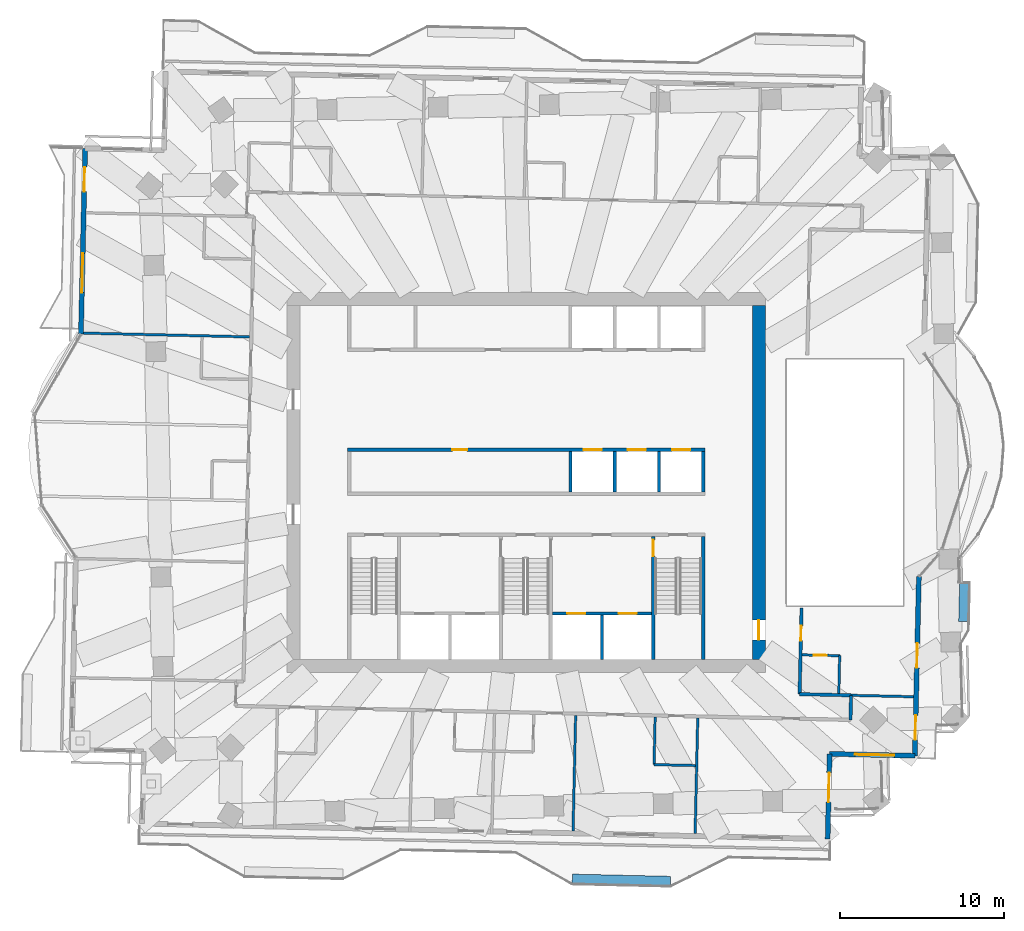
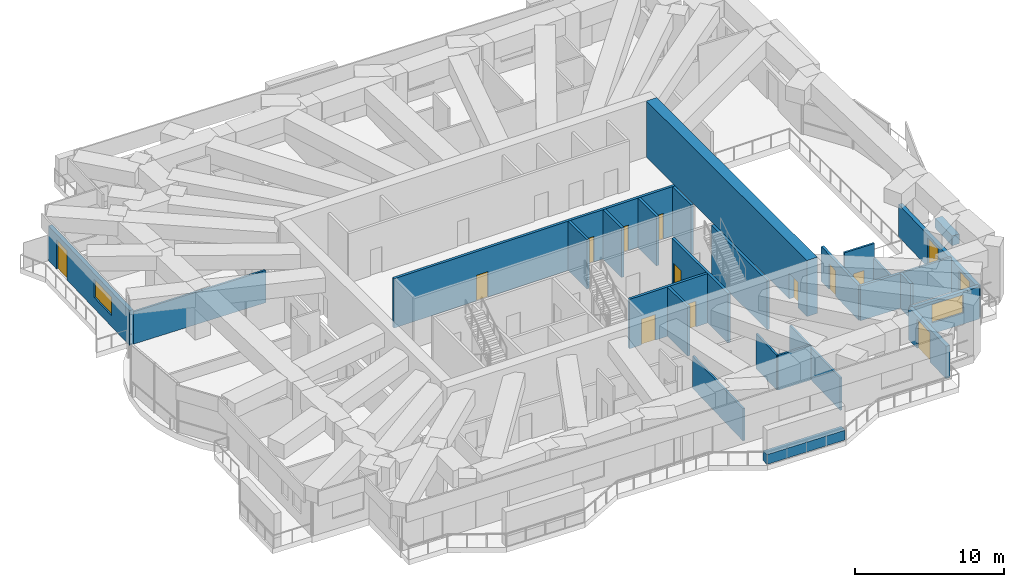
# One storey, part 11 of 19: 27 walls, 14 doors, 2 windows, 16 openings.
"""IFC4 building model written with IfcOpenShell, lengths in metres."""

from ifc_helpers import new_model, si_unit, direction, frame, frame_2d, origin, place, context, subcontext, project, spatial, rectangle, extrude, material, layer, layer_set, type_object, element, fill, save


model = new_model("IFC4")

# Units and contexts
model_context = context("Model", 3, precision=1e-05, world=origin(), true_north=direction((0.0, 1.0)))
body_context = subcontext(model_context, "Body", "Model", "MODEL_VIEW")
ifc_project = project(units=[si_unit("LENGTHUNIT", "METRE"), si_unit("AREAUNIT", "SQUARE_METRE"), si_unit("VOLUMEUNIT", "CUBIC_METRE"), si_unit("PLANEANGLEUNIT", "RADIAN"), si_unit("MASSUNIT", "GRAM", prefix="KILO")], contexts=[model_context])

# Site, building, storey
site_placement = place(None, origin())
site = spatial("IfcSite", under=ifc_project, at=site_placement, CompositionType="ELEMENT")
building_placement = place(site_placement, origin())
building = spatial("IfcBuilding", under=site, at=building_placement, Name="Mangrove Gate Tower", CompositionType="ELEMENT")
storey_placement = place(building_placement, frame((0.0, 0.0, 193.300048828125)))
storey = spatial("IfcBuildingStorey", under=building, at=storey_placement, Name="L49", CompositionType="ELEMENT", Elevation=193.300048828125)

# Wall, openings, doors
ifc_material_1 = material(Name="Concrete C60/75", Category="concrete")
ifc_layer_1 = layer(ifc_material_1, 0.199951171875)
ifc_layer_set_1 = layer_set([ifc_layer_1], Name="Core shaft wall 200 C60/75")
wall_type_1 = type_object("IfcWallType", Name="Core shaft wall 200 C60/75", PredefinedType="SHEAR", material=ifc_layer_set_1)
wall_1_placement = place(storey_placement, frame((-10.89990234375, 2.0, 0.0), z_axis=(0.0, 0.0, 1.0), x_axis=(1.0, 0.0, 0.0)))
wall_1 = element("IfcWall", 1, at=wall_1_placement, inside=storey, type_object=wall_type_1, Name="WALL-L49-CORE-7", PredefinedType="SHEAR", context=body_context, shape_type="SweptSolid", body=[
    extrude(rectangle(XDim=21.7998046875, YDim=0.199951171875, at=frame_2d((10.89990234375, 0.0))), origin(), (0.0, 0.0, 1.0), 4.050048828125),
])
opening_1_placement = place(wall_1_placement, frame((14.39990234375, 0.0, 0.0)))
opening_1 = element("IfcOpeningElement", 2, at=opening_1_placement, cuts=wall_1, Name="Opening LD", PredefinedType="OPENING", context=body_context, shape_type="SweptSolid", body=[
    extrude(rectangle(XDim=1.10009765625, YDim=2.10009765625, at=frame_2d((0.550048828125, 1.050048828125))), frame((0.0, 0.10986328125, 0.0), z_axis=(0.0, -1.0, 0.0), x_axis=(1.0, 0.0, 0.0)), (0.0, 0.0, 1.0), 0.219970703125),
])
opening_2_placement = place(wall_1_placement, frame((17.10009765625, 0.0, 0.0)))
opening_2 = element("IfcOpeningElement", 3, at=opening_2_placement, cuts=wall_1, Name="Opening LD", PredefinedType="OPENING", context=body_context, shape_type="SweptSolid", body=[
    extrude(rectangle(XDim=1.10009765625, YDim=2.10009765625, at=frame_2d((0.550048828125, 1.050048828125))), frame((0.0, 0.10986328125, 0.0), z_axis=(0.0, -1.0, 0.0), x_axis=(1.0, 0.0, 0.0)), (0.0, 0.0, 1.0), 0.219970703125),
])
opening_3_placement = place(wall_1_placement, frame((19.800048828125, 0.0, 0.0)))
opening_3 = element("IfcOpeningElement", 4, at=opening_3_placement, cuts=wall_1, Name="Opening LD", PredefinedType="OPENING", context=body_context, shape_type="SweptSolid", body=[
    extrude(rectangle(XDim=1.10009765625, YDim=2.10009765625, at=frame_2d((0.550048828125, 1.050048828125))), frame((0.0, 0.10986328125, 0.0), z_axis=(0.0, -1.0, 0.0), x_axis=(1.0, 0.0, 0.0)), (0.0, 0.0, 1.0), 0.219970703125),
])
opening_4_placement = place(wall_1_placement, frame((6.39990234375, 0.0, 0.0)))
opening_4 = element("IfcOpeningElement", 5, at=opening_4_placement, cuts=wall_1, Name="Opening KD", PredefinedType="OPENING", context=body_context, shape_type="SweptSolid", body=[
    extrude(rectangle(XDim=0.89990234375, YDim=2.10009765625, at=frame_2d((0.449951171875, 1.050048828125))), frame((0.0, 0.10986328125, 0.0), z_axis=(0.0, -1.0, 0.0), x_axis=(1.0, 0.0, 0.0)), (0.0, 0.0, 1.0), 0.219970703125),
])
ifc_material_2 = material(Name="Fire-rated steel door set", Category="steel")
door_type_1 = type_object("IfcDoorType", Name="Core room door FD30S 900x2100", OperationType="SINGLE_SWING_RIGHT", PredefinedType="DOOR", material=ifc_material_2)
door_1_placement = place(opening_4_placement, origin())
door_1 = element("IfcDoor", 6, at=door_1_placement, inside=storey, type_object=door_type_1, Name="Core room door Core WC", OperationType="SINGLE_SWING_RIGHT", OverallHeight=2.10009765625, OverallWidth=0.89990234375, PredefinedType="DOOR", context=body_context, shape_type="SweptSolid", body=[
    extrude(rectangle(XDim=0.89990234375, YDim=2.10009765625, at=frame_2d((0.449951171875, 1.050048828125))), frame((0.0, 0.02490234375, 0.0), z_axis=(0.0, -1.0, 0.0), x_axis=(1.0, 0.0, 0.0)), (0.0, 0.0, 1.0), 0.050048828125),
])
fill(opening_4, door_1)
ifc_material_3 = material(Name="Stainless steel 316", Category="steel")
door_type_2 = type_object("IfcDoorType", Name="Lift landing door 1100x2100", OperationType="SLIDING_TO_LEFT", PredefinedType="DOOR", material=ifc_material_3)
door_2_placement = place(opening_1_placement, origin())
door_2 = element("IfcDoor", 7, at=door_2_placement, inside=storey, type_object=door_type_2, Name="Landing door LD M01", OperationType="SLIDING_TO_LEFT", OverallHeight=2.10009765625, OverallWidth=1.10009765625, PredefinedType="DOOR", context=body_context, shape_type="SweptSolid", body=[
    extrude(rectangle(XDim=1.10009765625, YDim=2.10009765625, at=frame_2d((0.550048828125, 1.050048828125))), frame((0.0, 0.02490234375, 0.0), z_axis=(0.0, -1.0, 0.0), x_axis=(1.0, 0.0, 0.0)), (0.0, 0.0, 1.0), 0.050048828125),
])
fill(opening_1, door_2)
door_3_placement = place(opening_2_placement, origin())
door_3 = element("IfcDoor", 8, at=door_3_placement, inside=storey, type_object=door_type_2, Name="Landing door LD M02", OperationType="SLIDING_TO_LEFT", OverallHeight=2.10009765625, OverallWidth=1.10009765625, PredefinedType="DOOR", context=body_context, shape_type="SweptSolid", body=[
    extrude(rectangle(XDim=1.10009765625, YDim=2.10009765625, at=frame_2d((0.550048828125, 1.050048828125))), frame((0.0, 0.02490234375, 0.0), z_axis=(0.0, -1.0, 0.0), x_axis=(1.0, 0.0, 0.0)), (0.0, 0.0, 1.0), 0.050048828125),
])
fill(opening_2, door_3)
door_4_placement = place(opening_3_placement, origin())
door_4 = element("IfcDoor", 9, at=door_4_placement, inside=storey, type_object=door_type_2, Name="Landing door LD M03", OperationType="SLIDING_TO_LEFT", OverallHeight=2.10009765625, OverallWidth=1.10009765625, PredefinedType="DOOR", context=body_context, shape_type="SweptSolid", body=[
    extrude(rectangle(XDim=1.10009765625, YDim=2.10009765625, at=frame_2d((0.550048828125, 1.050048828125))), frame((0.0, 0.02490234375, 0.0), z_axis=(0.0, -1.0, 0.0), x_axis=(1.0, 0.0, 0.0)), (0.0, 0.0, 1.0), 0.050048828125),
])
fill(opening_3, door_4)

wall_2_placement = place(storey_placement, frame((1.60009765625, -8.0, 0.0), z_axis=(0.0, 0.0, 1.0), x_axis=(1.0, 0.0, 0.0)))
wall_2 = element("IfcWall", 10, at=wall_2_placement, inside=storey, type_object=wall_type_1, Name="WALL-L49-CORE-17", PredefinedType="SHEAR", context=body_context, shape_type="SweptSolid", body=[
    extrude(rectangle(XDim=6.0498046875, YDim=0.199951171875, at=frame_2d((3.02490234375, 0.0))), origin(), (0.0, 0.0, 1.0), 4.050048828125),
])
opening_5_placement = place(wall_2_placement, frame((0.91259765625, 0.0, 0.0)))
opening_5 = element("IfcOpeningElement", 11, at=opening_5_placement, cuts=wall_2, Name="Opening LD", PredefinedType="OPENING", context=body_context, shape_type="SweptSolid", body=[
    extrude(rectangle(XDim=1.10009765625, YDim=2.10009765625, at=frame_2d((0.550048828125, 1.050048828125))), frame((0.0, 0.10986328125, 0.0), z_axis=(0.0, -1.0, 0.0), x_axis=(1.0, 0.0, 0.0)), (0.0, 0.0, 1.0), 0.219970703125),
])
opening_6_placement = place(wall_2_placement, frame((4.03759765625, 0.0, 0.0)))
opening_6 = element("IfcOpeningElement", 12, at=opening_6_placement, cuts=wall_2, Name="Opening LD", PredefinedType="OPENING", context=body_context, shape_type="SweptSolid", body=[
    extrude(rectangle(XDim=1.10009765625, YDim=2.10009765625, at=frame_2d((0.550048828125, 1.050048828125))), frame((0.0, 0.10986328125, 0.0), z_axis=(0.0, -1.0, 0.0), x_axis=(1.0, 0.0, 0.0)), (0.0, 0.0, 1.0), 0.219970703125),
])
door_5_placement = place(opening_5_placement, origin())
door_5 = element("IfcDoor", 13, at=door_5_placement, inside=storey, type_object=door_type_2, Name="Landing door LD FFL1", OperationType="SLIDING_TO_LEFT", OverallHeight=2.10009765625, OverallWidth=1.10009765625, PredefinedType="DOOR", context=body_context, shape_type="SweptSolid", body=[
    extrude(rectangle(XDim=1.10009765625, YDim=2.10009765625, at=frame_2d((0.550048828125, 1.050048828125))), frame((0.0, 0.02490234375, 0.0), z_axis=(0.0, -1.0, 0.0), x_axis=(1.0, 0.0, 0.0)), (0.0, 0.0, 1.0), 0.050048828125),
])
fill(opening_5, door_5)
door_6_placement = place(opening_6_placement, origin())
door_6 = element("IfcDoor", 14, at=door_6_placement, inside=storey, type_object=door_type_2, Name="Landing door LD FFL2", OperationType="SLIDING_TO_LEFT", OverallHeight=2.10009765625, OverallWidth=1.10009765625, PredefinedType="DOOR", context=body_context, shape_type="SweptSolid", body=[
    extrude(rectangle(XDim=1.10009765625, YDim=2.10009765625, at=frame_2d((0.550048828125, 1.050048828125))), frame((0.0, 0.02490234375, 0.0), z_axis=(0.0, -1.0, 0.0), x_axis=(1.0, 0.0, 0.0)), (0.0, 0.0, 1.0), 0.050048828125),
])
fill(opening_6, door_6)

# Walls
wall_3_placement = place(storey_placement, frame((4.625, -10.800048828125, 0.0), z_axis=(0.0, 0.0, 1.0), x_axis=(0.0, 1.0, 0.0)))
element("IfcWall", 15, at=wall_3_placement, inside=storey, type_object=wall_type_1, Name="WALL-L49-CORE-18", PredefinedType="SHEAR", context=body_context, shape_type="SweptSolid", body=[
    extrude(rectangle(XDim=2.699951171875, YDim=0.199951171875, at=frame_2d((1.35009765625, 0.0))), origin(), (0.0, 0.0, 1.0), 4.050048828125),
])
for number, where, z_axis, x_axis, name in (
    (16, (2.699951171875, -0.60009765625, 0.0), (0.0, 0.0, 1.0), (0.0, 1.0, 0.0), "WALL-L49-CORE-20"),
    (17, (5.39990234375, -0.60009765625, 0.0), (0.0, 0.0, 1.0), (0.0, 1.0, 0.0), "WALL-L49-CORE-21"),
    (18, (8.10009765625, -0.60009765625, 0.0), (0.0, 0.0, 1.0), (0.0, 1.0, 0.0), "WALL-L49-CORE-22"),
    (19, (10.800048828125, -0.60009765625, 0.0), (0.0, 0.0, 1.0), (0.0, 1.0, 0.0), "WALL-L49-CORE-23"),
):
    element("IfcWall", number, at=place(storey_placement, frame(where, z_axis=z_axis, x_axis=x_axis)), inside=storey, type_object=wall_type_1, Name=name, PredefinedType="SHEAR", context=body_context, shape_type="SweptSolid", body=[
        extrude(rectangle(XDim=2.5, YDim=0.199951171875, at=frame_2d((1.25, 0.0))), origin(), (0.0, 0.0, 1.0), 4.050048828125),
    ])

# Wall, opening, door
ifc_material_4 = material(Name="Concrete C60/75", Category="concrete")
ifc_layer_2 = layer(ifc_material_4, 0.199951171875)
ifc_layer_set_2 = layer_set([ifc_layer_2], Name="Core stair wall 200 C60/75")
wall_type_2 = type_object("IfcWallType", Name="Core stair wall 200 C60/75", PredefinedType="SHEAR", material=ifc_layer_set_2)
wall_4_placement = place(storey_placement, frame((7.75, -10.800048828125, 0.0), z_axis=(0.0, 0.0, 1.0), x_axis=(0.0, 1.0, 0.0)))
wall_4 = element("IfcWall", 20, at=wall_4_placement, inside=storey, type_object=wall_type_2, Name="WALL-L49-CORE-13", PredefinedType="SHEAR", context=body_context, shape_type="SweptSolid", body=[
    extrude(rectangle(XDim=7.5, YDim=0.199951171875, at=frame_2d((3.75, 0.0))), origin(), (0.0, 0.0, 1.0), 4.050048828125),
])
opening_7_placement = place(wall_4_placement, frame((6.300048828125, 0.0, 0.0)))
opening_7 = element("IfcOpeningElement", 21, at=opening_7_placement, cuts=wall_4, Name="Opening STD10", PredefinedType="OPENING", context=body_context, shape_type="SweptSolid", body=[
    extrude(rectangle(XDim=1.0, YDim=2.10009765625, at=frame_2d((0.5, 1.050048828125))), frame((0.0, 0.10986328125, 0.0), z_axis=(0.0, -1.0, 0.0), x_axis=(1.0, 0.0, 0.0)), (0.0, 0.0, 1.0), 0.219970703125),
])
ifc_material_5 = material(Name="Fire-rated steel door set", Category="steel")
door_type_3 = type_object("IfcDoorType", Name="Stair door FD60 1000x2100", OperationType="SINGLE_SWING_RIGHT", PredefinedType="DOOR", material=ifc_material_5)
door_7_placement = place(opening_7_placement, origin())
door_7 = element("IfcDoor", 22, at=door_7_placement, inside=storey, type_object=door_type_3, Name="Stair door Stair 3 from fire-fighting lobby", OperationType="SINGLE_SWING_RIGHT", OverallHeight=2.10009765625, OverallWidth=1.0, PredefinedType="DOOR", context=body_context, shape_type="SweptSolid", body=[
    extrude(rectangle(XDim=1.0, YDim=2.10009765625, at=frame_2d((0.5, 1.050048828125))), frame((0.0, 0.02490234375, 0.0), z_axis=(0.0, -1.0, 0.0), x_axis=(1.0, 0.0, 0.0)), (0.0, 0.0, 1.0), 0.050048828125),
])
fill(opening_7, door_7)

# Wall
wall_5_placement = place(storey_placement, frame((10.800048828125, -10.800048828125, 0.0), z_axis=(0.0, 0.0, 1.0), x_axis=(0.0, 1.0, 0.0)))
element("IfcWall", 23, at=wall_5_placement, inside=storey, type_object=wall_type_2, Name="WALL-L49-CORE-14", PredefinedType="SHEAR", context=body_context, shape_type="SweptSolid", body=[
    extrude(rectangle(XDim=7.5, YDim=0.199951171875, at=frame_2d((3.75, 0.0))), origin(), (0.0, 0.0, 1.0), 4.050048828125),
])

# Wall, opening, door
ifc_material_6 = material(Name="Concrete C60/75", Category="concrete")
ifc_layer_3 = layer(ifc_material_6, 0.800048828125)
ifc_layer_set_3 = layer_set([ifc_layer_3], Name="Core wall 800 C60/75")
wall_type_3 = type_object("IfcWallType", Name="Core wall 800 C60/75", PredefinedType="SHEAR", material=ifc_layer_set_3)
wall_6_placement = place(storey_placement, frame((14.199951171875, -10.800048828125, 0.0), z_axis=(0.0, 0.0, 1.0), x_axis=(0.0, 1.0, 0.0)))
wall_6 = element("IfcWall", 24, at=wall_6_placement, inside=storey, type_object=wall_type_3, Name="WALL-L49-CORE-4", PredefinedType="SHEAR", context=body_context, shape_type="SweptSolid", body=[
    extrude(rectangle(XDim=21.60009765625, YDim=0.800048828125, at=frame_2d((10.800048828125, 0.0))), origin(), (0.0, 0.0, 1.0), 4.599853515625),
])
opening_8_placement = place(wall_6_placement, frame((1.199951171875, 0.0, 0.0)))
opening_8 = element("IfcOpeningElement", 25, at=opening_8_placement, cuts=wall_6, Name="Opening CD", PredefinedType="OPENING", context=body_context, shape_type="SweptSolid", body=[
    extrude(rectangle(XDim=1.199951171875, YDim=2.10009765625, at=frame_2d((0.60009765625, 1.050048828125))), frame((0.0, 0.409912109375, 0.0), z_axis=(0.0, -1.0, 0.0), x_axis=(1.0, 0.0, 0.0)), (0.0, 0.0, 1.0), 0.820068359375),
])
ifc_material_7 = material(Name="Fire-rated steel door set", Category="steel")
door_type_4 = type_object("IfcDoorType", Name="Core ring door FD60 1200x2100", OperationType="DOUBLE_DOOR_SINGLE_SWING", PredefinedType="DOOR", material=ifc_material_7)
door_8_placement = place(opening_8_placement, origin())
door_8 = element("IfcDoor", 26, at=door_8_placement, inside=storey, type_object=door_type_4, Name="Core ring door E1", OperationType="DOUBLE_DOOR_SINGLE_SWING", OverallHeight=2.10009765625, OverallWidth=1.199951171875, PredefinedType="DOOR", context=body_context, shape_type="SweptSolid", body=[
    extrude(rectangle(XDim=1.199951171875, YDim=2.10009765625, at=frame_2d((0.60009765625, 1.050048828125))), frame((0.0, 0.02490234375, 0.0), z_axis=(0.0, -1.0, 0.0), x_axis=(1.0, 0.0, 0.0)), (0.0, 0.0, 1.0), 0.050048828125),
])
fill(opening_8, door_8)

# Walls
ifc_material_8 = material(Name="Gypsum board on steel stud, EI 60", Category="steel")
ifc_layer_4 = layer(ifc_material_8, 0.199951171875)
ifc_layer_set_4 = layer_set([ifc_layer_4], Name="Corridor wall EI 60")
wall_type_4 = type_object("IfcWallType", Name="Corridor wall EI 60", PredefinedType="PARTITIONING", material=ifc_layer_set_4)
wall_7_placement = place(storey_placement, frame((19.7890625, -14.489013671875, 0.0), z_axis=(0.0, 0.0, 1.0), x_axis=(0.022632637625, 0.99974384905, 0.0)))
element("IfcWall", 27, at=wall_7_placement, inside=storey, type_object=wall_type_4, Name="WALL-L49-015", PredefinedType="PARTITIONING", context=body_context, shape_type="SweptSolid", body=[
    extrude(rectangle(XDim=1.49951171875, YDim=0.199951171875, at=frame_2d((0.749755859375, 0.0))), origin(), (0.0, 0.0, 1.0), 2.849853515625),
])
wall_8_placement = place(storey_placement, frame((16.678955078125, -12.91796875, 0.0), z_axis=(0.0, 0.0, 1.0), x_axis=(0.999737242123, -0.02292262447, 0.0)))
element("IfcWall", 28, at=wall_8_placement, inside=storey, type_object=wall_type_4, Name="WALL-L49-019", PredefinedType="PARTITIONING", context=body_context, shape_type="SweptSolid", body=[
    extrude(rectangle(XDim=3.141845703125, YDim=0.199951171875, at=frame_2d((1.57080078125, 0.0))), origin(), (0.0, 0.0, 1.0), 2.849853515625),
])

# Wall, opening, door
wall_9_placement = place(storey_placement, frame((16.68408203125, -12.9189453125, 0.0), z_axis=(0.0, 0.0, 1.0), x_axis=(0.022667483124, 0.999743059595, 0.0)))
wall_9 = element("IfcWall", 29, at=wall_9_placement, inside=storey, type_object=wall_type_4, Name="WALL-L49-020", PredefinedType="PARTITIONING", context=body_context, shape_type="SweptSolid", body=[
    extrude(rectangle(XDim=5.245361328125, YDim=0.199951171875, at=frame_2d((2.62255859375, 0.0))), origin(), (0.0, 0.0, 1.0), 2.849853515625),
])
opening_9_placement = place(wall_9_placement, frame((3.27001953125, 0.0, 0.0)))
opening_9 = element("IfcOpeningElement", 30, at=opening_9_placement, cuts=wall_9, Name="Opening BD", PredefinedType="OPENING", context=body_context, shape_type="SweptSolid", body=[
    extrude(rectangle(XDim=0.89990234375, YDim=2.10009765625, at=frame_2d((0.449951171875, 1.050048828125))), frame((0.0, 0.10986328125, 0.0), z_axis=(0.0, -1.0, 0.0), x_axis=(1.0, 0.0, 0.0)), (0.0, 0.0, 1.0), 0.219970703125),
])
ifc_material_9 = material(Name="Timber door leaf", Category="wood")
door_type_5 = type_object("IfcDoorType", Name="Bedroom door 900", OperationType="SINGLE_SWING_LEFT", PredefinedType="DOOR", material=ifc_material_9)
door_9_placement = place(opening_9_placement, origin())
door_9 = element("IfcDoor", 31, at=door_9_placement, inside=storey, type_object=door_type_5, Name="DOOR-L49-BED-c403", OperationType="SINGLE_SWING_LEFT", OverallHeight=2.10009765625, OverallWidth=0.89990234375, PredefinedType="DOOR", context=body_context, shape_type="SweptSolid", body=[
    extrude(rectangle(XDim=0.89990234375, YDim=2.10009765625, at=frame_2d((0.449951171875, 1.050048828125))), frame((0.0, 0.02490234375, 0.0), z_axis=(0.0, -1.0, 0.0), x_axis=(1.0, 0.0, 0.0)), (0.0, 0.0, 1.0), 0.050048828125),
])
fill(opening_9, door_9)

# Wall, openings, doors
ifc_material_10 = material(Name="Limestone", Category="masonry")
ifc_layer_5 = layer(ifc_material_10, 0.0400390625, Name="Limestone cladding")
ifc_material_11 = material(Name="Ventilated air gap")
ifc_layer_6 = layer(ifc_material_11, 0.0400390625, Name="Ventilated cavity")
ifc_material_12 = material(Name="Mineral wool insulation")
ifc_layer_7 = layer(ifc_material_12, 0.06005859375, Name="Insulation")
ifc_material_13 = material(Name="Breather membrane")
ifc_layer_8 = layer(ifc_material_13, 0.001953125, Name="Breather membrane")
ifc_material_14 = material(Name="Concrete C20/25 blockwork", Category="masonry")
ifc_layer_9 = layer(ifc_material_14, 0.14990234375, Name="Blockwork backing wall")
ifc_material_15 = material(Name="Gypsum plaster")
ifc_layer_10 = layer(ifc_material_15, 0.008056640625, Name="Internal plaster")
ifc_layer_set_5 = layer_set([ifc_layer_5, ifc_layer_6, ifc_layer_7, ifc_layer_8, ifc_layer_9, ifc_layer_10], Name="External wall 300 limestone cladding")
wall_type_5 = type_object("IfcWallType", Name="External wall 300 limestone cladding", PredefinedType="SOLIDWALL", material=ifc_layer_set_5)
wall_10_placement = place(storey_placement, frame((23.712890625, -16.678955078125, 0.0), z_axis=(0.0, 0.0, 1.0), x_axis=(0.02269451316, 0.999742446369, 0.0)))
wall_10 = element("IfcWall", 32, at=wall_10_placement, inside=storey, type_object=wall_type_5, Name="WALL-L49-E0", PredefinedType="SOLIDWALL", context=body_context, shape_type="SweptSolid", body=[
    extrude(rectangle(XDim=10.929931640625, YDim=0.300048828125, at=frame_2d((5.46484375, 0.0))), origin(), (0.0, 0.0, 1.0), 2.64990234375),
])
opening_10_placement = place(wall_10_placement, frame((0.97509765625, 0.0, 0.0)))
opening_10 = element("IfcOpeningElement", 33, at=opening_10_placement, cuts=wall_10, Name="Opening BD1", PredefinedType="OPENING", context=body_context, shape_type="SweptSolid", body=[
    extrude(rectangle(XDim=1.5, YDim=2.39990234375, at=frame_2d((0.75, 1.199951171875))), frame((0.0, 0.159912109375, 0.0), z_axis=(0.0, -1.0, 0.0), x_axis=(1.0, 0.0, 0.0)), (0.0, 0.0, 1.0), 0.320068359375),
])
opening_11_placement = place(wall_10_placement, frame((5.3701171875, 0.0, 0.0)))
opening_11 = element("IfcOpeningElement", 34, at=opening_11_placement, cuts=wall_10, Name="Opening BD1", PredefinedType="OPENING", context=body_context, shape_type="SweptSolid", body=[
    extrude(rectangle(XDim=1.5, YDim=2.39990234375, at=frame_2d((0.75, 1.199951171875))), frame((0.0, 0.159912109375, 0.0), z_axis=(0.0, -1.0, 0.0), x_axis=(1.0, 0.0, 0.0)), (0.0, 0.0, 1.0), 0.320068359375),
])
ifc_material_16 = material(Name="Aluminium frame with laminated clear glass", Category="aluminium")
door_type_6 = type_object("IfcDoorType", Name="Balcony sliding door 1500x2400", OperationType="SLIDING_TO_LEFT", PredefinedType="DOOR", material=ifc_material_16)
door_10_placement = place(opening_10_placement, origin())
door_10 = element("IfcDoor", 35, at=door_10_placement, inside=storey, type_object=door_type_6, Name="DOOR-L49-E0-1", OperationType="SLIDING_TO_LEFT", OverallHeight=2.39990234375, OverallWidth=1.5, PredefinedType="DOOR", context=body_context, shape_type="SweptSolid", body=[
    extrude(rectangle(XDim=1.5, YDim=2.39990234375, at=frame_2d((0.75, 1.199951171875))), frame((0.0, 0.02490234375, 0.0), z_axis=(0.0, -1.0, 0.0), x_axis=(1.0, 0.0, 0.0)), (0.0, 0.0, 1.0), 0.050048828125),
])
fill(opening_10, door_10)
door_11_placement = place(opening_11_placement, origin())
door_11 = element("IfcDoor", 36, at=door_11_placement, inside=storey, type_object=door_type_6, Name="DOOR-L49-E0-2", OperationType="SLIDING_TO_LEFT", OverallHeight=2.39990234375, OverallWidth=1.5, PredefinedType="DOOR", context=body_context, shape_type="SweptSolid", body=[
    extrude(rectangle(XDim=1.5, YDim=2.39990234375, at=frame_2d((0.75, 1.199951171875))), frame((0.0, 0.02490234375, 0.0), z_axis=(0.0, -1.0, 0.0), x_axis=(1.0, 0.0, 0.0)), (0.0, 0.0, 1.0), 0.050048828125),
])
fill(opening_11, door_11)

# Wall, openings, door, window
wall_11_placement = place(storey_placement, frame((-26.904052734375, 20.37890625, 0.0), z_axis=(0.0, 0.0, 1.0), x_axis=(-0.022669030322, -0.999743024514, 0.0)))
wall_11 = element("IfcWall", 37, at=wall_11_placement, inside=storey, type_object=wall_type_5, Name="WALL-L49-W8", PredefinedType="SOLIDWALL", context=body_context, shape_type="SweptSolid", body=[
    extrude(rectangle(XDim=11.329833984375, YDim=0.300048828125, at=frame_2d((5.6650390625, 0.0))), origin(), (0.0, 0.0, 1.0), 2.849853515625),
])
opening_12_placement = place(wall_11_placement, frame((1.137939453125, 0.0, 0.0)))
opening_12 = element("IfcOpeningElement", 38, at=opening_12_placement, cuts=wall_11, Name="Opening BD1", PredefinedType="OPENING", context=body_context, shape_type="SweptSolid", body=[
    extrude(rectangle(XDim=1.5, YDim=2.39990234375, at=frame_2d((0.75, 1.199951171875))), frame((0.0, 0.159912109375, 0.0), z_axis=(0.0, -1.0, 0.0), x_axis=(1.0, 0.0, 0.0)), (0.0, 0.0, 1.0), 0.320068359375),
])
opening_13_placement = place(wall_11_placement, frame((6.39990234375, 0.0, 0.89990234375)))
opening_13 = element("IfcOpeningElement", 39, at=opening_13_placement, cuts=wall_11, Name="Opening W2", PredefinedType="OPENING", context=body_context, shape_type="SweptSolid", body=[
    extrude(rectangle(XDim=2.39990234375, YDim=1.5, at=frame_2d((1.199951171875, 0.75))), frame((0.0, 0.159912109375, 0.0), z_axis=(0.0, -1.0, 0.0), x_axis=(1.0, 0.0, 0.0)), (0.0, 0.0, 1.0), 0.320068359375),
])
door_12_placement = place(opening_12_placement, origin())
door_12 = element("IfcDoor", 40, at=door_12_placement, inside=storey, type_object=door_type_6, Name="DOOR-L49-W8-1", OperationType="SLIDING_TO_LEFT", OverallHeight=2.39990234375, OverallWidth=1.5, PredefinedType="DOOR", context=body_context, shape_type="SweptSolid", body=[
    extrude(rectangle(XDim=1.5, YDim=2.39990234375, at=frame_2d((0.75, 1.199951171875))), frame((0.0, 0.02490234375, 0.0), z_axis=(0.0, -1.0, 0.0), x_axis=(1.0, 0.0, 0.0)), (0.0, 0.0, 1.0), 0.050048828125),
])
fill(opening_12, door_12)
ifc_material_17 = material(Name="Aluminium frame with double-glazed low-e glass", Category="aluminium")
window_type = type_object("IfcWindowType", Name="Corner room window 2400x1500", PartitioningType="DOUBLE_PANEL_VERTICAL", PredefinedType="WINDOW", material=ifc_material_17)
window_1_placement = place(opening_13_placement, origin())
window_1 = element("IfcWindow", 41, at=window_1_placement, inside=storey, type_object=window_type, Name="WIN-L49-W8-2", OverallHeight=1.5, OverallWidth=2.39990234375, PartitioningType="DOUBLE_PANEL_VERTICAL", PredefinedType="WINDOW", context=body_context, shape_type="SweptSolid", body=[
    extrude(rectangle(XDim=2.39990234375, YDim=1.5, at=frame_2d((1.199951171875, 0.75))), frame((0.0, 0.030029296875, 0.0), z_axis=(0.0, -1.0, 0.0), x_axis=(1.0, 0.0, 0.0)), (0.0, 0.0, 1.0), 0.06005859375),
])
fill(opening_13, window_1)

# Wall, opening, door
wall_12_placement = place(storey_placement, frame((18.39599609375, -21.760009765625, 0.0), z_axis=(0.0, 0.0, 1.0), x_axis=(0.022675548694, 0.99974287669, 0.0)))
wall_12 = element("IfcWall", 42, at=wall_12_placement, inside=storey, type_object=wall_type_5, Name="WALL-L49-E14", PredefinedType="SOLIDWALL", context=body_context, shape_type="SweptSolid", body=[
    extrude(rectangle(XDim=5.2001953125, YDim=0.300048828125, at=frame_2d((2.60009765625, 0.0))), origin(), (0.0, 0.0, 1.0), 2.64990234375),
])
opening_14_placement = place(wall_12_placement, frame((2.25, 0.0, 0.0)))
opening_14 = element("IfcOpeningElement", 43, at=opening_14_placement, cuts=wall_12, Name="Opening TD1", PredefinedType="OPENING", context=body_context, shape_type="SweptSolid", body=[
    extrude(rectangle(XDim=1.800048828125, YDim=2.39990234375, at=frame_2d((0.89990234375, 1.199951171875))), frame((0.0, 0.159912109375, 0.0), z_axis=(0.0, -1.0, 0.0), x_axis=(1.0, 0.0, 0.0)), (0.0, 0.0, 1.0), 0.320068359375),
])
ifc_material_18 = material(Name="Aluminium frame with laminated clear glass", Category="aluminium")
door_type_7 = type_object("IfcDoorType", Name="Terrace door 1800x2400", OperationType="DOUBLE_DOOR_SINGLE_SWING", PredefinedType="DOOR", material=ifc_material_18)
door_13_placement = place(opening_14_placement, origin())
door_13 = element("IfcDoor", 44, at=door_13_placement, inside=storey, type_object=door_type_7, Name="DOOR-L49-E14-1", OperationType="DOUBLE_DOOR_SINGLE_SWING", OverallHeight=2.39990234375, OverallWidth=1.800048828125, PredefinedType="DOOR", context=body_context, shape_type="SweptSolid", body=[
    extrude(rectangle(XDim=1.800048828125, YDim=2.39990234375, at=frame_2d((0.89990234375, 1.199951171875))), frame((0.0, 0.02490234375, 0.0), z_axis=(0.0, -1.0, 0.0), x_axis=(1.0, 0.0, 0.0)), (0.0, 0.0, 1.0), 0.050048828125),
])
fill(opening_14, door_13)

# Wall, opening, window
wall_13_placement = place(storey_placement, frame((18.513916015625, -16.56103515625, 0.0), z_axis=(0.0, 0.0, 1.0), x_axis=(0.99974287669, -0.022675548694, 0.0)))
wall_13 = element("IfcWall", 45, at=wall_13_placement, inside=storey, type_object=wall_type_5, Name="WALL-L49-S15", PredefinedType="SOLIDWALL", context=body_context, shape_type="SweptSolid", body=[
    extrude(rectangle(XDim=5.2001953125, YDim=0.300048828125, at=frame_2d((2.60009765625, 0.0))), origin(), (0.0, 0.0, 1.0), 2.64990234375),
])
opening_15_placement = place(wall_13_placement, frame((1.550048828125, 0.0, 0.89990234375)))
opening_15 = element("IfcOpeningElement", 46, at=opening_15_placement, cuts=wall_13, Name="Opening W2", PredefinedType="OPENING", context=body_context, shape_type="SweptSolid", body=[
    extrude(rectangle(XDim=2.39990234375, YDim=1.5, at=frame_2d((1.199951171875, 0.75))), frame((0.0, 0.159912109375, 0.0), z_axis=(0.0, -1.0, 0.0), x_axis=(1.0, 0.0, 0.0)), (0.0, 0.0, 1.0), 0.320068359375),
])
window_2_placement = place(opening_15_placement, origin())
window_2 = element("IfcWindow", 47, at=window_2_placement, inside=storey, type_object=window_type, Name="WIN-L49-S15-1", OverallHeight=1.5, OverallWidth=2.39990234375, PartitioningType="DOUBLE_PANEL_VERTICAL", PredefinedType="WINDOW", context=body_context, shape_type="SweptSolid", body=[
    extrude(rectangle(XDim=2.39990234375, YDim=1.5, at=frame_2d((1.199951171875, 0.75))), frame((0.0, 0.030029296875, 0.0), z_axis=(0.0, -1.0, 0.0), x_axis=(1.0, 0.0, 0.0)), (0.0, 0.0, 1.0), 0.06005859375),
])
fill(opening_15, window_2)

# Walls
ifc_material_19 = material(Name="Gypsum board on steel stud, EI 60", Category="steel")
ifc_layer_11 = layer(ifc_material_19, 0.14990234375)
ifc_layer_set_6 = layer_set([ifc_layer_11], Name="Party wall 150 EI 60")
wall_type_6 = type_object("IfcWallType", Name="Party wall 150 EI 60", PredefinedType="PARTITIONING", material=ifc_layer_set_6)
for number, where, z_axis, x_axis, name in (
    (48, (2.861083984375, -21.257080078125, 0.0), (0.0, 0.0, 1.0), (0.022682859663, 0.99974271084, 0.0), "WALL-L49-004"),
    (49, (10.31005859375, -21.426025390625, 0.0), (0.0, 0.0, 1.0), (0.022544409002, 0.999745842513, 0.0), "WALL-L49-005"),
):
    element("IfcWall", number, at=place(storey_placement, frame(where, z_axis=z_axis, x_axis=x_axis)), inside=storey, type_object=wall_type_6, Name=name, PredefinedType="PARTITIONING", context=body_context, shape_type="SweptSolid", body=[
        extrude(rectangle(XDim=7.0498046875, YDim=0.14990234375, at=frame_2d((3.52490234375, 0.0))), origin(), (0.0, 0.0, 1.0), 2.64990234375),
    ])
wall_14_placement = place(storey_placement, frame((7.802001953125, -17.218017578125, 0.0), z_axis=(0.0, 0.0, 1.0), x_axis=(0.999746307581, -0.022523775833, 0.0)))
element("IfcWall", 50, at=wall_14_placement, inside=storey, type_object=wall_type_6, Name="WALL-L49-006", PredefinedType="PARTITIONING", context=body_context, shape_type="SweptSolid", body=[
    extrude(rectangle(XDim=2.525634765625, YDim=0.14990234375, at=frame_2d((1.2626953125, 0.0))), origin(), (0.0, 0.0, 1.0), 2.849853515625),
])
wall_15_placement = place(storey_placement, frame((7.803955078125, -17.218017578125, 0.0), z_axis=(0.0, 0.0, 1.0), x_axis=(0.022817032779, 0.999739657619, 0.0)))
element("IfcWall", 51, at=wall_15_placement, inside=storey, type_object=wall_type_6, Name="WALL-L49-007", PredefinedType="PARTITIONING", context=body_context, shape_type="SweptSolid", body=[
    extrude(rectangle(XDim=2.899658203125, YDim=0.14990234375, at=frame_2d((1.44970703125, 0.0))), origin(), (0.0, 0.0, 1.0), 2.849853515625),
])
wall_16_placement = place(storey_placement, frame((19.075927734375, -12.873046875, 0.0), z_axis=(0.0, 0.0, 1.0), x_axis=(0.022603288534, 0.999744513037, 0.0)))
element("IfcWall", 52, at=wall_16_placement, inside=storey, type_object=wall_type_6, Name="WALL-L49-021", PredefinedType="PARTITIONING", context=body_context, shape_type="SweptSolid", body=[
    extrude(rectangle(XDim=2.300537109375, YDim=0.14990234375, at=frame_2d((1.150390625, 0.0))), origin(), (0.0, 0.0, 1.0), 2.849853515625),
])
wall_17_placement = place(storey_placement, frame((19.81591796875, -12.989990234375, 0.0), z_axis=(0.0, 0.0, 1.0), x_axis=(0.999742493286, -0.02269244629, 0.0)))
element("IfcWall", 53, at=wall_17_placement, inside=storey, type_object=wall_type_6, Name="WALL-L49-022", PredefinedType="PARTITIONING", context=body_context, shape_type="SweptSolid", body=[
    extrude(rectangle(XDim=3.830078125, YDim=0.14990234375, at=frame_2d((1.9150390625, 0.0))), origin(), (0.0, 0.0, 1.0), 2.849853515625),
])

# Wall, opening, door
wall_18_placement = place(storey_placement, frame((16.833984375, -10.52099609375, 0.0), z_axis=(0.0, 0.0, 1.0), x_axis=(0.999734605807, -0.023037316498, 0.0)))
wall_18 = element("IfcWall", 54, at=wall_18_placement, inside=storey, type_object=wall_type_6, Name="WALL-L49-023", PredefinedType="PARTITIONING", context=body_context, shape_type="SweptSolid", body=[
    extrude(rectangle(XDim=2.299560546875, YDim=0.14990234375, at=frame_2d((1.14990234375, 0.0))), origin(), (0.0, 0.0, 1.0), 4.050048828125),
])
opening_16_placement = place(wall_18_placement, frame((0.699951171875, 0.0, 0.0)))
opening_16 = element("IfcOpeningElement", 55, at=opening_16_placement, cuts=wall_18, Name="Opening ED", PredefinedType="OPENING", context=body_context, shape_type="SweptSolid", body=[
    extrude(rectangle(XDim=0.800048828125, YDim=2.10009765625, at=frame_2d((0.39990234375, 1.050048828125))), frame((0.0, 0.0849609375, 0.0), z_axis=(0.0, -1.0, 0.0), x_axis=(1.0, 0.0, 0.0)), (0.0, 0.0, 1.0), 0.169921875),
])
ifc_material_20 = material(Name="Timber door leaf", Category="wood")
door_type_8 = type_object("IfcDoorType", Name="En-suite door 800", OperationType="SINGLE_SWING_LEFT", PredefinedType="DOOR", material=ifc_material_20)
door_14_placement = place(opening_16_placement, origin())
door_14 = element("IfcDoor", 56, at=door_14_placement, inside=storey, type_object=door_type_8, Name="DOOR-L49-ENS-c403", OperationType="SINGLE_SWING_LEFT", OverallHeight=2.10009765625, OverallWidth=0.800048828125, PredefinedType="DOOR", context=body_context, shape_type="SweptSolid", body=[
    extrude(rectangle(XDim=0.800048828125, YDim=2.10009765625, at=frame_2d((0.39990234375, 1.050048828125))), frame((0.0, 0.02490234375, 0.0), z_axis=(0.0, -1.0, 0.0), x_axis=(1.0, 0.0, 0.0)), (0.0, 0.0, 1.0), 0.050048828125),
])
fill(opening_16, door_14)

# Walls
wall_19_placement = place(storey_placement, frame((-27.010009765625, 9.10791015625, 0.0), z_axis=(0.0, 0.0, 1.0), x_axis=(0.999742841246, -0.022677111331, 0.0)))
element("IfcWall", 57, at=wall_19_placement, inside=storey, type_object=wall_type_6, Name="WALL-L49-032", PredefinedType="PARTITIONING", context=body_context, shape_type="SweptSolid", body=[
    extrude(rectangle(XDim=10.1416015625, YDim=0.14990234375, at=frame_2d((5.07080078125, 0.0))), origin(), (0.0, 0.0, 1.0), 2.64990234375),
])
ifc_material_21 = material(Name="Concrete C32/40", Category="concrete")
ifc_layer_12 = layer(ifc_material_21, 0.199951171875, Name="Planter trough wall")
ifc_material_22 = material(Name="Bituminous waterproofing membrane")
ifc_layer_13 = layer(ifc_material_22, 0.0048828125, Name="Waterproofing")
ifc_material_23 = material(Name="Drainage board and gravel")
ifc_layer_14 = layer(ifc_material_23, 0.044921875, Name="Drainage layer")
ifc_material_24 = material(Name="Planting soil")
ifc_layer_15 = layer(ifc_material_24, 0.300048828125, Name="Growing medium")
ifc_layer_set_7 = layer_set([ifc_layer_12, ifc_layer_13, ifc_layer_14, ifc_layer_15], Name="Planter wall 550 C32/40")
wall_type_7 = type_object("IfcWallType", Name="Planter wall 550 C32/40", PredefinedType="USERDEFINED", material=ifc_layer_set_7)
wall_20_placement = place(storey_placement, frame((26.6640625, -8.493896484375, 0.0), z_axis=(0.0, 0.0, 1.0), x_axis=(0.022723741019, 0.999741782459, 0.0)))
element("IfcWall", 58, at=wall_20_placement, inside=storey, type_object=wall_type_7, Name="PLANTER L49 E0.1", ObjectType="PLANTER", PredefinedType="USERDEFINED", context=body_context, shape_type="SweptSolid", body=[
    extrude(rectangle(XDim=2.37451171875, YDim=0.550048828125, at=frame_2d((1.187255859375, 0.0))), origin(), (0.0, 0.0, 1.0), 0.800048828125),
])
wall_21_placement = place(storey_placement, frame((2.81494140625, -24.172119140625, 0.0), z_axis=(0.0, 0.0, 1.0), x_axis=(0.999743094499, -0.022665943652, 0.0)))
element("IfcWall", 59, at=wall_21_placement, inside=storey, type_object=wall_type_7, Name="PLANTER L49 S1.1", ObjectType="PLANTER", PredefinedType="USERDEFINED", context=body_context, shape_type="SweptSolid", body=[
    extrude(rectangle(XDim=5.99951171875, YDim=0.550048828125, at=frame_2d((2.999755859375, 0.0))), origin(), (0.0, 0.0, 1.0), 0.800048828125),
])

save(model, "model.ifc")
